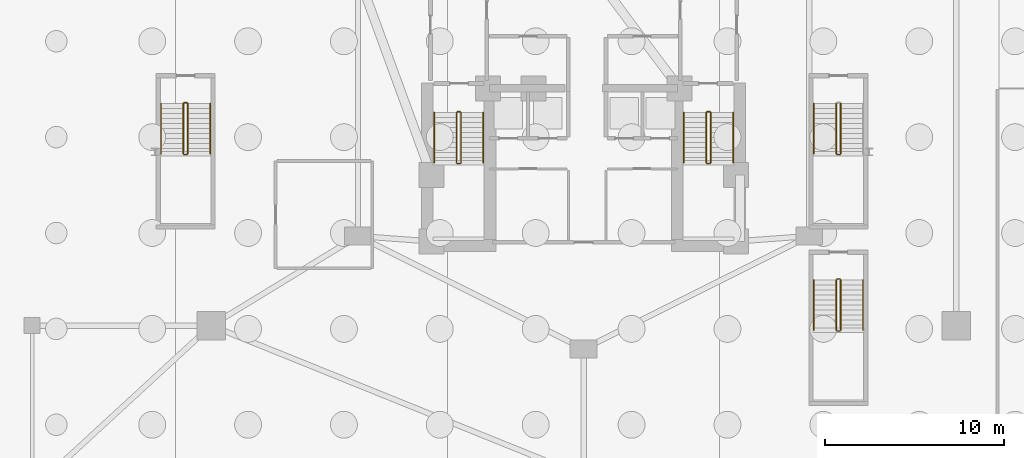
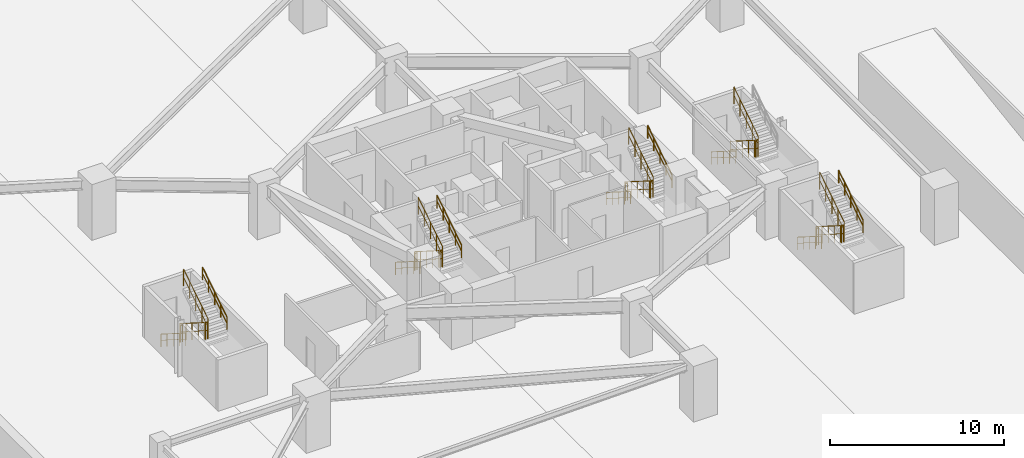
# One storey, part 12 of 14: 28 railings.
"""IFC4 building model written with IfcOpenShell, lengths in metres."""

from ifc_helpers import new_model, si_unit, direction, frame, origin, origin_2d, place, context, subcontext, project, spatial, circle, extrude, material, type_object, element, save


model = new_model("IFC4")

# Units and contexts
model_context = context("Model", 3, precision=1e-05, world=origin(), true_north=direction((0.0, 1.0)))
body_context = subcontext(model_context, "Body", "Model", "MODEL_VIEW")
ifc_project = project(units=[si_unit("LENGTHUNIT", "METRE"), si_unit("AREAUNIT", "SQUARE_METRE"), si_unit("VOLUMEUNIT", "CUBIC_METRE"), si_unit("PLANEANGLEUNIT", "RADIAN"), si_unit("MASSUNIT", "GRAM", prefix="KILO")], contexts=[model_context])

# Site, building, storey
site_placement = place(None, origin())
site = spatial("IfcSite", under=ifc_project, at=site_placement, CompositionType="ELEMENT")
building_placement = place(site_placement, origin())
building = spatial("IfcBuilding", under=site, at=building_placement, Name="Miruveldt Soraemaru", CompositionType="ELEMENT")
storey_placement = place(building_placement, frame((0.0, 0.0, -15.60009765625)))
storey = spatial("IfcBuildingStorey", under=building, at=storey_placement, Name="B4", CompositionType="ELEMENT", Elevation=-15.60009765625)

# Railings
ifc_material = material(Name="Steel S355 (355 MPa)", Category="steel")
railing_type_1 = type_object("IfcRailingType", Name="RAIL-HR-900", PredefinedType="HANDRAIL", material=ifc_material)
railing_1_placement = place(storey_placement, frame((35.64990234375, 42.699951171875, 0.177490234375)))
element("IfcRailing", 1, at=railing_1_placement, inside=storey, type_object=railing_type_1, Name="B4 ST-1 stair handrail 1", PredefinedType="HANDRAIL", context=body_context, shape_type="SweptSolid", body=[
    extrude(circle(Radius=0.02392578125, at=origin_2d()), frame((0.0, 0.0, 0.8759765625), z_axis=(0.0, -0.844908973607, 0.534910110503), x_axis=(1.0, 0.0, 0.0)), (0.0, 0.0, 1.0), 3.31396484375),
    extrude(circle(Radius=0.01611328125, at=origin_2d()), frame((0.0, 0.0, 0.449951171875), z_axis=(0.0, -0.844908973607, 0.534910110503), x_axis=(1.0, 0.0, 0.0)), (0.0, 0.0, 1.0), 3.31396484375),
    extrude(circle(Radius=0.02099609375, at=origin_2d()), origin(), (0.0, 0.0, 1.0), 0.851806640625),
    extrude(circle(Radius=0.02099609375, at=origin_2d()), frame((0.0, -0.699951171875, 0.443115234375)), (0.0, 0.0, 1.0), 0.851806640625),
    extrude(circle(Radius=0.02099609375, at=origin_2d()), frame((0.0, -1.39990234375, 0.88623046875)), (0.0, 0.0, 1.0), 0.851806640625),
    extrude(circle(Radius=0.02099609375, at=origin_2d()), frame((0.0, -2.10009765625, 1.32958984375)), (0.0, 0.0, 1.0), 0.851806640625),
    extrude(circle(Radius=0.02099609375, at=origin_2d()), frame((0.0, -2.800048828125, 1.772705078125)), (0.0, 0.0, 1.0), 0.851806640625),
])
railing_2_placement = place(storey_placement, frame((38.39990234375, 39.89990234375, 2.12744140625)))
element("IfcRailing", 2, at=railing_2_placement, inside=storey, type_object=railing_type_1, Name="B4 ST-1 stair handrail 2", PredefinedType="HANDRAIL", context=body_context, shape_type="SweptSolid", body=[
    extrude(circle(Radius=0.02392578125, at=origin_2d()), frame((0.0, 0.0, 0.8759765625), z_axis=(0.0, 0.844908973607, 0.534910110503), x_axis=(-1.0, 0.0, 0.0)), (0.0, 0.0, 1.0), 3.31396484375),
    extrude(circle(Radius=0.01611328125, at=origin_2d()), frame((0.0, 0.0, 0.449951171875), z_axis=(0.0, 0.844908973607, 0.534910110503), x_axis=(-1.0, 0.0, 0.0)), (0.0, 0.0, 1.0), 3.31396484375),
    extrude(circle(Radius=0.02099609375, at=origin_2d()), origin(), (0.0, 0.0, 1.0), 0.851806640625),
    extrude(circle(Radius=0.02099609375, at=origin_2d()), frame((0.0, 0.699951171875, 0.443115234375)), (0.0, 0.0, 1.0), 0.851806640625),
    extrude(circle(Radius=0.02099609375, at=origin_2d()), frame((0.0, 1.39990234375, 0.88623046875)), (0.0, 0.0, 1.0), 0.851806640625),
    extrude(circle(Radius=0.02099609375, at=origin_2d()), frame((0.0, 2.10009765625, 1.32958984375)), (0.0, 0.0, 1.0), 0.851806640625),
    extrude(circle(Radius=0.02099609375, at=origin_2d()), frame((0.0, 2.800048828125, 1.772705078125)), (0.0, 0.0, 1.0), 0.851806640625),
])
railing_3_placement = place(storey_placement, frame((49.60009765625, 42.699951171875, 0.177490234375)))
element("IfcRailing", 3, at=railing_3_placement, inside=storey, type_object=railing_type_1, Name="B4 ST-2 stair handrail 1", PredefinedType="HANDRAIL", context=body_context, shape_type="SweptSolid", body=[
    extrude(circle(Radius=0.02392578125, at=origin_2d()), frame((0.0, 0.0, 0.8759765625), z_axis=(0.0, -0.844908973607, 0.534910110503), x_axis=(1.0, 0.0, 0.0)), (0.0, 0.0, 1.0), 3.31396484375),
    extrude(circle(Radius=0.01611328125, at=origin_2d()), frame((0.0, 0.0, 0.449951171875), z_axis=(0.0, -0.844908973607, 0.534910110503), x_axis=(1.0, 0.0, 0.0)), (0.0, 0.0, 1.0), 3.31396484375),
    extrude(circle(Radius=0.02099609375, at=origin_2d()), origin(), (0.0, 0.0, 1.0), 0.851806640625),
    extrude(circle(Radius=0.02099609375, at=origin_2d()), frame((0.0, -0.699951171875, 0.443115234375)), (0.0, 0.0, 1.0), 0.851806640625),
    extrude(circle(Radius=0.02099609375, at=origin_2d()), frame((0.0, -1.39990234375, 0.88623046875)), (0.0, 0.0, 1.0), 0.851806640625),
    extrude(circle(Radius=0.02099609375, at=origin_2d()), frame((0.0, -2.10009765625, 1.32958984375)), (0.0, 0.0, 1.0), 0.851806640625),
    extrude(circle(Radius=0.02099609375, at=origin_2d()), frame((0.0, -2.800048828125, 1.772705078125)), (0.0, 0.0, 1.0), 0.851806640625),
])
railing_4_placement = place(storey_placement, frame((52.35009765625, 39.89990234375, 2.12744140625)))
element("IfcRailing", 4, at=railing_4_placement, inside=storey, type_object=railing_type_1, Name="B4 ST-2 stair handrail 2", PredefinedType="HANDRAIL", context=body_context, shape_type="SweptSolid", body=[
    extrude(circle(Radius=0.02392578125, at=origin_2d()), frame((0.0, 0.0, 0.8759765625), z_axis=(0.0, 0.844908973607, 0.534910110503), x_axis=(-1.0, 0.0, 0.0)), (0.0, 0.0, 1.0), 3.31396484375),
    extrude(circle(Radius=0.01611328125, at=origin_2d()), frame((0.0, 0.0, 0.449951171875), z_axis=(0.0, 0.844908973607, 0.534910110503), x_axis=(-1.0, 0.0, 0.0)), (0.0, 0.0, 1.0), 3.31396484375),
    extrude(circle(Radius=0.02099609375, at=origin_2d()), origin(), (0.0, 0.0, 1.0), 0.851806640625),
    extrude(circle(Radius=0.02099609375, at=origin_2d()), frame((0.0, 0.699951171875, 0.443115234375)), (0.0, 0.0, 1.0), 0.851806640625),
    extrude(circle(Radius=0.02099609375, at=origin_2d()), frame((0.0, 1.39990234375, 0.88623046875)), (0.0, 0.0, 1.0), 0.851806640625),
    extrude(circle(Radius=0.02099609375, at=origin_2d()), frame((0.0, 2.10009765625, 1.32958984375)), (0.0, 0.0, 1.0), 0.851806640625),
    extrude(circle(Radius=0.02099609375, at=origin_2d()), frame((0.0, 2.800048828125, 1.772705078125)), (0.0, 0.0, 1.0), 0.851806640625),
])
railing_5_placement = place(storey_placement, frame((20.39990234375, 43.199951171875, 0.177490234375)))
element("IfcRailing", 5, at=railing_5_placement, inside=storey, type_object=railing_type_1, Name="B4 ST-3 stair handrail 1", PredefinedType="HANDRAIL", context=body_context, shape_type="SweptSolid", body=[
    extrude(circle(Radius=0.02392578125, at=origin_2d()), frame((0.0, 0.0, 0.8759765625), z_axis=(0.0, -0.844908973607, 0.534910110503), x_axis=(1.0, 0.0, 0.0)), (0.0, 0.0, 1.0), 3.31396484375),
    extrude(circle(Radius=0.01611328125, at=origin_2d()), frame((0.0, 0.0, 0.449951171875), z_axis=(0.0, -0.844908973607, 0.534910110503), x_axis=(1.0, 0.0, 0.0)), (0.0, 0.0, 1.0), 3.31396484375),
    extrude(circle(Radius=0.02099609375, at=origin_2d()), origin(), (0.0, 0.0, 1.0), 0.851806640625),
    extrude(circle(Radius=0.02099609375, at=origin_2d()), frame((0.0, -0.699951171875, 0.443115234375)), (0.0, 0.0, 1.0), 0.851806640625),
    extrude(circle(Radius=0.02099609375, at=origin_2d()), frame((0.0, -1.39990234375, 0.88623046875)), (0.0, 0.0, 1.0), 0.851806640625),
    extrude(circle(Radius=0.02099609375, at=origin_2d()), frame((0.0, -2.10009765625, 1.32958984375)), (0.0, 0.0, 1.0), 0.851806640625),
    extrude(circle(Radius=0.02099609375, at=origin_2d()), frame((0.0, -2.800048828125, 1.772705078125)), (0.0, 0.0, 1.0), 0.851806640625),
])
railing_6_placement = place(storey_placement, frame((23.14990234375, 40.39990234375, 2.12744140625)))
element("IfcRailing", 6, at=railing_6_placement, inside=storey, type_object=railing_type_1, Name="B4 ST-3 stair handrail 2", PredefinedType="HANDRAIL", context=body_context, shape_type="SweptSolid", body=[
    extrude(circle(Radius=0.02392578125, at=origin_2d()), frame((0.0, 0.0, 0.8759765625), z_axis=(0.0, 0.844908973607, 0.534910110503), x_axis=(-1.0, 0.0, 0.0)), (0.0, 0.0, 1.0), 3.31396484375),
    extrude(circle(Radius=0.01611328125, at=origin_2d()), frame((0.0, 0.0, 0.449951171875), z_axis=(0.0, 0.844908973607, 0.534910110503), x_axis=(-1.0, 0.0, 0.0)), (0.0, 0.0, 1.0), 3.31396484375),
    extrude(circle(Radius=0.02099609375, at=origin_2d()), origin(), (0.0, 0.0, 1.0), 0.851806640625),
    extrude(circle(Radius=0.02099609375, at=origin_2d()), frame((0.0, 0.699951171875, 0.443115234375)), (0.0, 0.0, 1.0), 0.851806640625),
    extrude(circle(Radius=0.02099609375, at=origin_2d()), frame((0.0, 1.39990234375, 0.88623046875)), (0.0, 0.0, 1.0), 0.851806640625),
    extrude(circle(Radius=0.02099609375, at=origin_2d()), frame((0.0, 2.10009765625, 1.32958984375)), (0.0, 0.0, 1.0), 0.851806640625),
    extrude(circle(Radius=0.02099609375, at=origin_2d()), frame((0.0, 2.800048828125, 1.772705078125)), (0.0, 0.0, 1.0), 0.851806640625),
])
for number, where, name in (
    (7, (56.85009765625, 43.199951171875, 0.177490234375), "B4 ST-4 stair handrail 1"),
    (8, (56.85009765625, 33.35009765625, 0.177490234375), "B4 ST-5 stair handrail 1"),
):
    element("IfcRailing", number, at=place(storey_placement, frame(where)), inside=storey, type_object=railing_type_1, Name=name, PredefinedType="HANDRAIL", context=body_context, shape_type="SweptSolid", body=[
        extrude(circle(Radius=0.02392578125, at=origin_2d()), frame((0.0, 0.0, 0.8759765625), z_axis=(0.0, -0.844908973607, 0.534910110503), x_axis=(1.0, 0.0, 0.0)), (0.0, 0.0, 1.0), 3.31396484375),
        extrude(circle(Radius=0.01611328125, at=origin_2d()), frame((0.0, 0.0, 0.449951171875), z_axis=(0.0, -0.844908973607, 0.534910110503), x_axis=(1.0, 0.0, 0.0)), (0.0, 0.0, 1.0), 3.31396484375),
        extrude(circle(Radius=0.02099609375, at=origin_2d()), origin(), (0.0, 0.0, 1.0), 0.851806640625),
        extrude(circle(Radius=0.02099609375, at=origin_2d()), frame((0.0, -0.699951171875, 0.443115234375)), (0.0, 0.0, 1.0), 0.851806640625),
        extrude(circle(Radius=0.02099609375, at=origin_2d()), frame((0.0, -1.39990234375, 0.88623046875)), (0.0, 0.0, 1.0), 0.851806640625),
        extrude(circle(Radius=0.02099609375, at=origin_2d()), frame((0.0, -2.10009765625, 1.32958984375)), (0.0, 0.0, 1.0), 0.851806640625),
        extrude(circle(Radius=0.02099609375, at=origin_2d()), frame((0.0, -2.800048828125, 1.772705078125)), (0.0, 0.0, 1.0), 0.851806640625),
    ])
railing_7_placement = place(storey_placement, frame((59.60009765625, 30.550048828125, 2.12744140625)))
element("IfcRailing", 9, at=railing_7_placement, inside=storey, type_object=railing_type_1, Name="B4 ST-5 stair handrail 2", PredefinedType="HANDRAIL", context=body_context, shape_type="SweptSolid", body=[
    extrude(circle(Radius=0.02392578125, at=origin_2d()), frame((0.0, 0.0, 0.8759765625), z_axis=(0.0, 0.844908973607, 0.534910110503), x_axis=(-1.0, 0.0, 0.0)), (0.0, 0.0, 1.0), 3.31396484375),
    extrude(circle(Radius=0.01611328125, at=origin_2d()), frame((0.0, 0.0, 0.449951171875), z_axis=(0.0, 0.844908973607, 0.534910110503), x_axis=(-1.0, 0.0, 0.0)), (0.0, 0.0, 1.0), 3.31396484375),
    extrude(circle(Radius=0.02099609375, at=origin_2d()), origin(), (0.0, 0.0, 1.0), 0.851806640625),
    extrude(circle(Radius=0.02099609375, at=origin_2d()), frame((0.0, 0.699951171875, 0.443115234375)), (0.0, 0.0, 1.0), 0.851806640625),
    extrude(circle(Radius=0.02099609375, at=origin_2d()), frame((0.0, 1.39990234375, 0.88623046875)), (0.0, 0.0, 1.0), 0.851806640625),
    extrude(circle(Radius=0.02099609375, at=origin_2d()), frame((0.0, 2.10009765625, 1.32958984375)), (0.0, 0.0, 1.0), 0.851806640625),
    extrude(circle(Radius=0.02099609375, at=origin_2d()), frame((0.0, 2.800048828125, 1.772705078125)), (0.0, 0.0, 1.0), 0.851806640625),
])
railing_type_2 = type_object("IfcRailingType", Name="RAIL-STGUARD-1200", PredefinedType="GUARDRAIL", material=ifc_material)
railing_8_placement = place(storey_placement, frame((36.89990234375, 42.699951171875, 0.177490234375)))
element("IfcRailing", 10, at=railing_8_placement, inside=storey, type_object=railing_type_2, Name="B4 ST-1 stair guard 1", PredefinedType="GUARDRAIL", context=body_context, shape_type="SweptSolid", body=[
    extrude(circle(Radius=0.02392578125, at=origin_2d()), frame((0.0, 0.0, 1.17578125), z_axis=(0.0, -0.844908973607, 0.534910110503), x_axis=(1.0, 0.0, 0.0)), (0.0, 0.0, 1.0), 3.31396484375),
    extrude(circle(Radius=0.01611328125, at=origin_2d()), frame((0.0, 0.0, 0.60009765625), z_axis=(0.0, -0.844908973607, 0.534910110503), x_axis=(1.0, 0.0, 0.0)), (0.0, 0.0, 1.0), 3.31396484375),
    extrude(circle(Radius=0.02099609375, at=origin_2d()), origin(), (0.0, 0.0, 1.0), 1.15185546875),
    extrude(circle(Radius=0.02099609375, at=origin_2d()), frame((0.0, -0.699951171875, 0.443115234375)), (0.0, 0.0, 1.0), 1.15185546875),
    extrude(circle(Radius=0.02099609375, at=origin_2d()), frame((0.0, -1.39990234375, 0.88623046875)), (0.0, 0.0, 1.0), 1.15185546875),
    extrude(circle(Radius=0.02099609375, at=origin_2d()), frame((0.0, -2.10009765625, 1.32958984375)), (0.0, 0.0, 1.0), 1.15185546875),
    extrude(circle(Radius=0.02099609375, at=origin_2d()), frame((0.0, -2.800048828125, 1.772705078125)), (0.0, 0.0, 1.0), 1.15185546875),
])
railing_9_placement = place(storey_placement, frame((36.949951171875, 39.85009765625, 1.9501953125)))
element("IfcRailing", 11, at=railing_9_placement, inside=storey, type_object=railing_type_2, Name="B4 ST-1 stair guard 2", PredefinedType="GUARDRAIL", context=body_context, shape_type="SweptSolid", body=[
    extrude(circle(Radius=0.02392578125, at=origin_2d()), frame((0.0, 0.0, 1.17578125), z_axis=(1.0, 0.0, 0.0), x_axis=(0.0, 1.0, 0.0)), (0.0, 0.0, 1.0), 0.150146484375),
    extrude(circle(Radius=0.01611328125, at=origin_2d()), frame((0.0, 0.0, 0.60009765625), z_axis=(1.0, 0.0, 0.0), x_axis=(0.0, 1.0, 0.0)), (0.0, 0.0, 1.0), 0.150146484375),
    extrude(circle(Radius=0.02099609375, at=origin_2d()), origin(), (0.0, 0.0, 1.0), 1.15185546875),
    extrude(circle(Radius=0.02099609375, at=origin_2d()), frame((0.150146484375, 0.0, 0.0)), (0.0, 0.0, 1.0), 1.15185546875),
])
railing_10_placement = place(storey_placement, frame((37.14990234375, 39.89990234375, 2.12744140625)))
element("IfcRailing", 12, at=railing_10_placement, inside=storey, type_object=railing_type_2, Name="B4 ST-1 stair guard 3", PredefinedType="GUARDRAIL", context=body_context, shape_type="SweptSolid", body=[
    extrude(circle(Radius=0.02392578125, at=origin_2d()), frame((0.0, 0.0, 1.17578125), z_axis=(0.0, 0.844908973607, 0.534910110503), x_axis=(-1.0, 0.0, 0.0)), (0.0, 0.0, 1.0), 3.31396484375),
    extrude(circle(Radius=0.01611328125, at=origin_2d()), frame((0.0, 0.0, 0.60009765625), z_axis=(0.0, 0.844908973607, 0.534910110503), x_axis=(-1.0, 0.0, 0.0)), (0.0, 0.0, 1.0), 3.31396484375),
    extrude(circle(Radius=0.02099609375, at=origin_2d()), origin(), (0.0, 0.0, 1.0), 1.15185546875),
    extrude(circle(Radius=0.02099609375, at=origin_2d()), frame((0.0, 0.699951171875, 0.443115234375)), (0.0, 0.0, 1.0), 1.15185546875),
    extrude(circle(Radius=0.02099609375, at=origin_2d()), frame((0.0, 1.39990234375, 0.88623046875)), (0.0, 0.0, 1.0), 1.15185546875),
    extrude(circle(Radius=0.02099609375, at=origin_2d()), frame((0.0, 2.10009765625, 1.32958984375)), (0.0, 0.0, 1.0), 1.15185546875),
    extrude(circle(Radius=0.02099609375, at=origin_2d()), frame((0.0, 2.800048828125, 1.772705078125)), (0.0, 0.0, 1.0), 1.15185546875),
])
railing_11_placement = place(storey_placement, frame((36.949951171875, 42.75, 0.0)))
element("IfcRailing", 13, at=railing_11_placement, inside=storey, type_object=railing_type_2, Name="B4 ST-1 stair guard 4", PredefinedType="GUARDRAIL", context=body_context, shape_type="SweptSolid", body=[
    extrude(circle(Radius=0.02392578125, at=origin_2d()), frame((0.0, 0.0, 1.17578125), z_axis=(1.0, 0.0, 0.0), x_axis=(0.0, 1.0, 0.0)), (0.0, 0.0, 1.0), 0.150146484375),
    extrude(circle(Radius=0.01611328125, at=origin_2d()), frame((0.0, 0.0, 0.60009765625), z_axis=(1.0, 0.0, 0.0), x_axis=(0.0, 1.0, 0.0)), (0.0, 0.0, 1.0), 0.150146484375),
    extrude(circle(Radius=0.02099609375, at=origin_2d()), origin(), (0.0, 0.0, 1.0), 1.15185546875),
    extrude(circle(Radius=0.02099609375, at=origin_2d()), frame((0.150146484375, 0.0, 0.0)), (0.0, 0.0, 1.0), 1.15185546875),
])
railing_12_placement = place(storey_placement, frame((50.85009765625, 42.699951171875, 0.177490234375)))
element("IfcRailing", 14, at=railing_12_placement, inside=storey, type_object=railing_type_2, Name="B4 ST-2 stair guard 1", PredefinedType="GUARDRAIL", context=body_context, shape_type="SweptSolid", body=[
    extrude(circle(Radius=0.02392578125, at=origin_2d()), frame((0.0, 0.0, 1.17578125), z_axis=(0.0, -0.844908973607, 0.534910110503), x_axis=(1.0, 0.0, 0.0)), (0.0, 0.0, 1.0), 3.31396484375),
    extrude(circle(Radius=0.01611328125, at=origin_2d()), frame((0.0, 0.0, 0.60009765625), z_axis=(0.0, -0.844908973607, 0.534910110503), x_axis=(1.0, 0.0, 0.0)), (0.0, 0.0, 1.0), 3.31396484375),
    extrude(circle(Radius=0.02099609375, at=origin_2d()), origin(), (0.0, 0.0, 1.0), 1.15185546875),
    extrude(circle(Radius=0.02099609375, at=origin_2d()), frame((0.0, -0.699951171875, 0.443115234375)), (0.0, 0.0, 1.0), 1.15185546875),
    extrude(circle(Radius=0.02099609375, at=origin_2d()), frame((0.0, -1.39990234375, 0.88623046875)), (0.0, 0.0, 1.0), 1.15185546875),
    extrude(circle(Radius=0.02099609375, at=origin_2d()), frame((0.0, -2.10009765625, 1.32958984375)), (0.0, 0.0, 1.0), 1.15185546875),
    extrude(circle(Radius=0.02099609375, at=origin_2d()), frame((0.0, -2.800048828125, 1.772705078125)), (0.0, 0.0, 1.0), 1.15185546875),
])
railing_13_placement = place(storey_placement, frame((50.89990234375, 39.85009765625, 1.9501953125)))
element("IfcRailing", 15, at=railing_13_placement, inside=storey, type_object=railing_type_2, Name="B4 ST-2 stair guard 2", PredefinedType="GUARDRAIL", context=body_context, shape_type="SweptSolid", body=[
    extrude(circle(Radius=0.02392578125, at=origin_2d()), frame((0.0, 0.0, 1.17578125), z_axis=(1.0, 0.0, 0.0), x_axis=(0.0, 1.0, 0.0)), (0.0, 0.0, 1.0), 0.150146484375),
    extrude(circle(Radius=0.01611328125, at=origin_2d()), frame((0.0, 0.0, 0.60009765625), z_axis=(1.0, 0.0, 0.0), x_axis=(0.0, 1.0, 0.0)), (0.0, 0.0, 1.0), 0.150146484375),
    extrude(circle(Radius=0.02099609375, at=origin_2d()), origin(), (0.0, 0.0, 1.0), 1.15185546875),
    extrude(circle(Radius=0.02099609375, at=origin_2d()), frame((0.150146484375, 0.0, 0.0)), (0.0, 0.0, 1.0), 1.15185546875),
])
railing_14_placement = place(storey_placement, frame((51.10009765625, 39.89990234375, 2.12744140625)))
element("IfcRailing", 16, at=railing_14_placement, inside=storey, type_object=railing_type_2, Name="B4 ST-2 stair guard 3", PredefinedType="GUARDRAIL", context=body_context, shape_type="SweptSolid", body=[
    extrude(circle(Radius=0.02392578125, at=origin_2d()), frame((0.0, 0.0, 1.17578125), z_axis=(0.0, 0.844908973607, 0.534910110503), x_axis=(-1.0, 0.0, 0.0)), (0.0, 0.0, 1.0), 3.31396484375),
    extrude(circle(Radius=0.01611328125, at=origin_2d()), frame((0.0, 0.0, 0.60009765625), z_axis=(0.0, 0.844908973607, 0.534910110503), x_axis=(-1.0, 0.0, 0.0)), (0.0, 0.0, 1.0), 3.31396484375),
    extrude(circle(Radius=0.02099609375, at=origin_2d()), origin(), (0.0, 0.0, 1.0), 1.15185546875),
    extrude(circle(Radius=0.02099609375, at=origin_2d()), frame((0.0, 0.699951171875, 0.443115234375)), (0.0, 0.0, 1.0), 1.15185546875),
    extrude(circle(Radius=0.02099609375, at=origin_2d()), frame((0.0, 1.39990234375, 0.88623046875)), (0.0, 0.0, 1.0), 1.15185546875),
    extrude(circle(Radius=0.02099609375, at=origin_2d()), frame((0.0, 2.10009765625, 1.32958984375)), (0.0, 0.0, 1.0), 1.15185546875),
    extrude(circle(Radius=0.02099609375, at=origin_2d()), frame((0.0, 2.800048828125, 1.772705078125)), (0.0, 0.0, 1.0), 1.15185546875),
])
railing_15_placement = place(storey_placement, frame((50.89990234375, 42.75, 0.0)))
element("IfcRailing", 17, at=railing_15_placement, inside=storey, type_object=railing_type_2, Name="B4 ST-2 stair guard 4", PredefinedType="GUARDRAIL", context=body_context, shape_type="SweptSolid", body=[
    extrude(circle(Radius=0.02392578125, at=origin_2d()), frame((0.0, 0.0, 1.17578125), z_axis=(1.0, 0.0, 0.0), x_axis=(0.0, 1.0, 0.0)), (0.0, 0.0, 1.0), 0.150146484375),
    extrude(circle(Radius=0.01611328125, at=origin_2d()), frame((0.0, 0.0, 0.60009765625), z_axis=(1.0, 0.0, 0.0), x_axis=(0.0, 1.0, 0.0)), (0.0, 0.0, 1.0), 0.150146484375),
    extrude(circle(Radius=0.02099609375, at=origin_2d()), origin(), (0.0, 0.0, 1.0), 1.15185546875),
    extrude(circle(Radius=0.02099609375, at=origin_2d()), frame((0.150146484375, 0.0, 0.0)), (0.0, 0.0, 1.0), 1.15185546875),
])
railing_16_placement = place(storey_placement, frame((21.64990234375, 43.199951171875, 0.177490234375)))
element("IfcRailing", 18, at=railing_16_placement, inside=storey, type_object=railing_type_2, Name="B4 ST-3 stair guard 1", PredefinedType="GUARDRAIL", context=body_context, shape_type="SweptSolid", body=[
    extrude(circle(Radius=0.02392578125, at=origin_2d()), frame((0.0, 0.0, 1.17578125), z_axis=(0.0, -0.844908973607, 0.534910110503), x_axis=(1.0, 0.0, 0.0)), (0.0, 0.0, 1.0), 3.31396484375),
    extrude(circle(Radius=0.01611328125, at=origin_2d()), frame((0.0, 0.0, 0.60009765625), z_axis=(0.0, -0.844908973607, 0.534910110503), x_axis=(1.0, 0.0, 0.0)), (0.0, 0.0, 1.0), 3.31396484375),
    extrude(circle(Radius=0.02099609375, at=origin_2d()), origin(), (0.0, 0.0, 1.0), 1.15185546875),
    extrude(circle(Radius=0.02099609375, at=origin_2d()), frame((0.0, -0.699951171875, 0.443115234375)), (0.0, 0.0, 1.0), 1.15185546875),
    extrude(circle(Radius=0.02099609375, at=origin_2d()), frame((0.0, -1.39990234375, 0.88623046875)), (0.0, 0.0, 1.0), 1.15185546875),
    extrude(circle(Radius=0.02099609375, at=origin_2d()), frame((0.0, -2.10009765625, 1.32958984375)), (0.0, 0.0, 1.0), 1.15185546875),
    extrude(circle(Radius=0.02099609375, at=origin_2d()), frame((0.0, -2.800048828125, 1.772705078125)), (0.0, 0.0, 1.0), 1.15185546875),
])
railing_17_placement = place(storey_placement, frame((21.699951171875, 40.35009765625, 1.9501953125)))
element("IfcRailing", 19, at=railing_17_placement, inside=storey, type_object=railing_type_2, Name="B4 ST-3 stair guard 2", PredefinedType="GUARDRAIL", context=body_context, shape_type="SweptSolid", body=[
    extrude(circle(Radius=0.02392578125, at=origin_2d()), frame((0.0, 0.0, 1.17578125), z_axis=(1.0, 0.0, 0.0), x_axis=(0.0, 1.0, 0.0)), (0.0, 0.0, 1.0), 0.150146484375),
    extrude(circle(Radius=0.01611328125, at=origin_2d()), frame((0.0, 0.0, 0.60009765625), z_axis=(1.0, 0.0, 0.0), x_axis=(0.0, 1.0, 0.0)), (0.0, 0.0, 1.0), 0.150146484375),
    extrude(circle(Radius=0.02099609375, at=origin_2d()), origin(), (0.0, 0.0, 1.0), 1.15185546875),
    extrude(circle(Radius=0.02099609375, at=origin_2d()), frame((0.150146484375, 0.0, 0.0)), (0.0, 0.0, 1.0), 1.15185546875),
])
railing_18_placement = place(storey_placement, frame((21.89990234375, 40.39990234375, 2.12744140625)))
element("IfcRailing", 20, at=railing_18_placement, inside=storey, type_object=railing_type_2, Name="B4 ST-3 stair guard 3", PredefinedType="GUARDRAIL", context=body_context, shape_type="SweptSolid", body=[
    extrude(circle(Radius=0.02392578125, at=origin_2d()), frame((0.0, 0.0, 1.17578125), z_axis=(0.0, 0.844908973607, 0.534910110503), x_axis=(-1.0, 0.0, 0.0)), (0.0, 0.0, 1.0), 3.31396484375),
    extrude(circle(Radius=0.01611328125, at=origin_2d()), frame((0.0, 0.0, 0.60009765625), z_axis=(0.0, 0.844908973607, 0.534910110503), x_axis=(-1.0, 0.0, 0.0)), (0.0, 0.0, 1.0), 3.31396484375),
    extrude(circle(Radius=0.02099609375, at=origin_2d()), origin(), (0.0, 0.0, 1.0), 1.15185546875),
    extrude(circle(Radius=0.02099609375, at=origin_2d()), frame((0.0, 0.699951171875, 0.443115234375)), (0.0, 0.0, 1.0), 1.15185546875),
    extrude(circle(Radius=0.02099609375, at=origin_2d()), frame((0.0, 1.39990234375, 0.88623046875)), (0.0, 0.0, 1.0), 1.15185546875),
    extrude(circle(Radius=0.02099609375, at=origin_2d()), frame((0.0, 2.10009765625, 1.32958984375)), (0.0, 0.0, 1.0), 1.15185546875),
    extrude(circle(Radius=0.02099609375, at=origin_2d()), frame((0.0, 2.800048828125, 1.772705078125)), (0.0, 0.0, 1.0), 1.15185546875),
])
railing_19_placement = place(storey_placement, frame((21.699951171875, 43.25, 0.0)))
element("IfcRailing", 21, at=railing_19_placement, inside=storey, type_object=railing_type_2, Name="B4 ST-3 stair guard 4", PredefinedType="GUARDRAIL", context=body_context, shape_type="SweptSolid", body=[
    extrude(circle(Radius=0.02392578125, at=origin_2d()), frame((0.0, 0.0, 1.17578125), z_axis=(1.0, 0.0, 0.0), x_axis=(0.0, 1.0, 0.0)), (0.0, 0.0, 1.0), 0.150146484375),
    extrude(circle(Radius=0.01611328125, at=origin_2d()), frame((0.0, 0.0, 0.60009765625), z_axis=(1.0, 0.0, 0.0), x_axis=(0.0, 1.0, 0.0)), (0.0, 0.0, 1.0), 0.150146484375),
    extrude(circle(Radius=0.02099609375, at=origin_2d()), origin(), (0.0, 0.0, 1.0), 1.15185546875),
    extrude(circle(Radius=0.02099609375, at=origin_2d()), frame((0.150146484375, 0.0, 0.0)), (0.0, 0.0, 1.0), 1.15185546875),
])
railing_20_placement = place(storey_placement, frame((58.10009765625, 43.199951171875, 0.177490234375)))
element("IfcRailing", 22, at=railing_20_placement, inside=storey, type_object=railing_type_2, Name="B4 ST-4 stair guard 1", PredefinedType="GUARDRAIL", context=body_context, shape_type="SweptSolid", body=[
    extrude(circle(Radius=0.02392578125, at=origin_2d()), frame((0.0, 0.0, 1.17578125), z_axis=(0.0, -0.844908973607, 0.534910110503), x_axis=(1.0, 0.0, 0.0)), (0.0, 0.0, 1.0), 3.31396484375),
    extrude(circle(Radius=0.01611328125, at=origin_2d()), frame((0.0, 0.0, 0.60009765625), z_axis=(0.0, -0.844908973607, 0.534910110503), x_axis=(1.0, 0.0, 0.0)), (0.0, 0.0, 1.0), 3.31396484375),
    extrude(circle(Radius=0.02099609375, at=origin_2d()), origin(), (0.0, 0.0, 1.0), 1.15185546875),
    extrude(circle(Radius=0.02099609375, at=origin_2d()), frame((0.0, -0.699951171875, 0.443115234375)), (0.0, 0.0, 1.0), 1.15185546875),
    extrude(circle(Radius=0.02099609375, at=origin_2d()), frame((0.0, -1.39990234375, 0.88623046875)), (0.0, 0.0, 1.0), 1.15185546875),
    extrude(circle(Radius=0.02099609375, at=origin_2d()), frame((0.0, -2.10009765625, 1.32958984375)), (0.0, 0.0, 1.0), 1.15185546875),
    extrude(circle(Radius=0.02099609375, at=origin_2d()), frame((0.0, -2.800048828125, 1.772705078125)), (0.0, 0.0, 1.0), 1.15185546875),
])
railing_21_placement = place(storey_placement, frame((58.14990234375, 40.35009765625, 1.9501953125)))
element("IfcRailing", 23, at=railing_21_placement, inside=storey, type_object=railing_type_2, Name="B4 ST-4 stair guard 2", PredefinedType="GUARDRAIL", context=body_context, shape_type="SweptSolid", body=[
    extrude(circle(Radius=0.02392578125, at=origin_2d()), frame((0.0, 0.0, 1.17578125), z_axis=(1.0, 0.0, 0.0), x_axis=(0.0, 1.0, 0.0)), (0.0, 0.0, 1.0), 0.150146484375),
    extrude(circle(Radius=0.01611328125, at=origin_2d()), frame((0.0, 0.0, 0.60009765625), z_axis=(1.0, 0.0, 0.0), x_axis=(0.0, 1.0, 0.0)), (0.0, 0.0, 1.0), 0.150146484375),
    extrude(circle(Radius=0.02099609375, at=origin_2d()), origin(), (0.0, 0.0, 1.0), 1.15185546875),
    extrude(circle(Radius=0.02099609375, at=origin_2d()), frame((0.150146484375, 0.0, 0.0)), (0.0, 0.0, 1.0), 1.15185546875),
])
railing_22_placement = place(storey_placement, frame((58.35009765625, 40.39990234375, 2.12744140625)))
element("IfcRailing", 24, at=railing_22_placement, inside=storey, type_object=railing_type_2, Name="B4 ST-4 stair guard 3", PredefinedType="GUARDRAIL", context=body_context, shape_type="SweptSolid", body=[
    extrude(circle(Radius=0.02392578125, at=origin_2d()), frame((0.0, 0.0, 1.17578125), z_axis=(0.0, 0.844908973607, 0.534910110503), x_axis=(-1.0, 0.0, 0.0)), (0.0, 0.0, 1.0), 3.31396484375),
    extrude(circle(Radius=0.01611328125, at=origin_2d()), frame((0.0, 0.0, 0.60009765625), z_axis=(0.0, 0.844908973607, 0.534910110503), x_axis=(-1.0, 0.0, 0.0)), (0.0, 0.0, 1.0), 3.31396484375),
    extrude(circle(Radius=0.02099609375, at=origin_2d()), origin(), (0.0, 0.0, 1.0), 1.15185546875),
    extrude(circle(Radius=0.02099609375, at=origin_2d()), frame((0.0, 0.699951171875, 0.443115234375)), (0.0, 0.0, 1.0), 1.15185546875),
    extrude(circle(Radius=0.02099609375, at=origin_2d()), frame((0.0, 1.39990234375, 0.88623046875)), (0.0, 0.0, 1.0), 1.15185546875),
    extrude(circle(Radius=0.02099609375, at=origin_2d()), frame((0.0, 2.10009765625, 1.32958984375)), (0.0, 0.0, 1.0), 1.15185546875),
    extrude(circle(Radius=0.02099609375, at=origin_2d()), frame((0.0, 2.800048828125, 1.772705078125)), (0.0, 0.0, 1.0), 1.15185546875),
])
railing_23_placement = place(storey_placement, frame((58.10009765625, 33.35009765625, 0.177490234375)))
element("IfcRailing", 25, at=railing_23_placement, inside=storey, type_object=railing_type_2, Name="B4 ST-5 stair guard 1", PredefinedType="GUARDRAIL", context=body_context, shape_type="SweptSolid", body=[
    extrude(circle(Radius=0.02392578125, at=origin_2d()), frame((0.0, 0.0, 1.17578125), z_axis=(0.0, -0.844908973607, 0.534910110503), x_axis=(1.0, 0.0, 0.0)), (0.0, 0.0, 1.0), 3.31396484375),
    extrude(circle(Radius=0.01611328125, at=origin_2d()), frame((0.0, 0.0, 0.60009765625), z_axis=(0.0, -0.844908973607, 0.534910110503), x_axis=(1.0, 0.0, 0.0)), (0.0, 0.0, 1.0), 3.31396484375),
    extrude(circle(Radius=0.02099609375, at=origin_2d()), origin(), (0.0, 0.0, 1.0), 1.15185546875),
    extrude(circle(Radius=0.02099609375, at=origin_2d()), frame((0.0, -0.699951171875, 0.443115234375)), (0.0, 0.0, 1.0), 1.15185546875),
    extrude(circle(Radius=0.02099609375, at=origin_2d()), frame((0.0, -1.39990234375, 0.88623046875)), (0.0, 0.0, 1.0), 1.15185546875),
    extrude(circle(Radius=0.02099609375, at=origin_2d()), frame((0.0, -2.10009765625, 1.32958984375)), (0.0, 0.0, 1.0), 1.15185546875),
    extrude(circle(Radius=0.02099609375, at=origin_2d()), frame((0.0, -2.800048828125, 1.772705078125)), (0.0, 0.0, 1.0), 1.15185546875),
])
railing_24_placement = place(storey_placement, frame((58.14990234375, 30.5, 1.9501953125)))
element("IfcRailing", 26, at=railing_24_placement, inside=storey, type_object=railing_type_2, Name="B4 ST-5 stair guard 2", PredefinedType="GUARDRAIL", context=body_context, shape_type="SweptSolid", body=[
    extrude(circle(Radius=0.02392578125, at=origin_2d()), frame((0.0, 0.0, 1.17578125), z_axis=(1.0, 0.0, 0.0), x_axis=(0.0, 1.0, 0.0)), (0.0, 0.0, 1.0), 0.150146484375),
    extrude(circle(Radius=0.01611328125, at=origin_2d()), frame((0.0, 0.0, 0.60009765625), z_axis=(1.0, 0.0, 0.0), x_axis=(0.0, 1.0, 0.0)), (0.0, 0.0, 1.0), 0.150146484375),
    extrude(circle(Radius=0.02099609375, at=origin_2d()), origin(), (0.0, 0.0, 1.0), 1.15185546875),
    extrude(circle(Radius=0.02099609375, at=origin_2d()), frame((0.150146484375, 0.0, 0.0)), (0.0, 0.0, 1.0), 1.15185546875),
])
railing_25_placement = place(storey_placement, frame((58.35009765625, 30.550048828125, 2.12744140625)))
element("IfcRailing", 27, at=railing_25_placement, inside=storey, type_object=railing_type_2, Name="B4 ST-5 stair guard 3", PredefinedType="GUARDRAIL", context=body_context, shape_type="SweptSolid", body=[
    extrude(circle(Radius=0.02392578125, at=origin_2d()), frame((0.0, 0.0, 1.17578125), z_axis=(0.0, 0.844908973607, 0.534910110503), x_axis=(-1.0, 0.0, 0.0)), (0.0, 0.0, 1.0), 3.31396484375),
    extrude(circle(Radius=0.01611328125, at=origin_2d()), frame((0.0, 0.0, 0.60009765625), z_axis=(0.0, 0.844908973607, 0.534910110503), x_axis=(-1.0, 0.0, 0.0)), (0.0, 0.0, 1.0), 3.31396484375),
    extrude(circle(Radius=0.02099609375, at=origin_2d()), origin(), (0.0, 0.0, 1.0), 1.15185546875),
    extrude(circle(Radius=0.02099609375, at=origin_2d()), frame((0.0, 0.699951171875, 0.443115234375)), (0.0, 0.0, 1.0), 1.15185546875),
    extrude(circle(Radius=0.02099609375, at=origin_2d()), frame((0.0, 1.39990234375, 0.88623046875)), (0.0, 0.0, 1.0), 1.15185546875),
    extrude(circle(Radius=0.02099609375, at=origin_2d()), frame((0.0, 2.10009765625, 1.32958984375)), (0.0, 0.0, 1.0), 1.15185546875),
    extrude(circle(Radius=0.02099609375, at=origin_2d()), frame((0.0, 2.800048828125, 1.772705078125)), (0.0, 0.0, 1.0), 1.15185546875),
])
railing_26_placement = place(storey_placement, frame((58.14990234375, 33.39990234375, 0.0)))
element("IfcRailing", 28, at=railing_26_placement, inside=storey, type_object=railing_type_2, Name="B4 ST-5 stair guard 4", PredefinedType="GUARDRAIL", context=body_context, shape_type="SweptSolid", body=[
    extrude(circle(Radius=0.02392578125, at=origin_2d()), frame((0.0, 0.0, 1.17578125), z_axis=(1.0, 0.0, 0.0), x_axis=(0.0, 1.0, 0.0)), (0.0, 0.0, 1.0), 0.150146484375),
    extrude(circle(Radius=0.01611328125, at=origin_2d()), frame((0.0, 0.0, 0.60009765625), z_axis=(1.0, 0.0, 0.0), x_axis=(0.0, 1.0, 0.0)), (0.0, 0.0, 1.0), 0.150146484375),
    extrude(circle(Radius=0.02099609375, at=origin_2d()), origin(), (0.0, 0.0, 1.0), 1.15185546875),
    extrude(circle(Radius=0.02099609375, at=origin_2d()), frame((0.150146484375, 0.0, 0.0)), (0.0, 0.0, 1.0), 1.15185546875),
])

save(model, "model.ifc")
